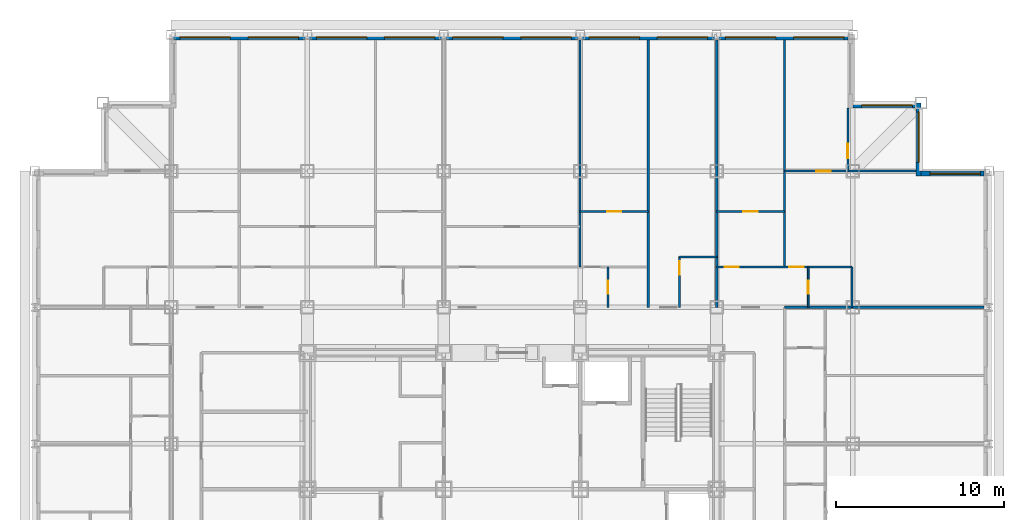
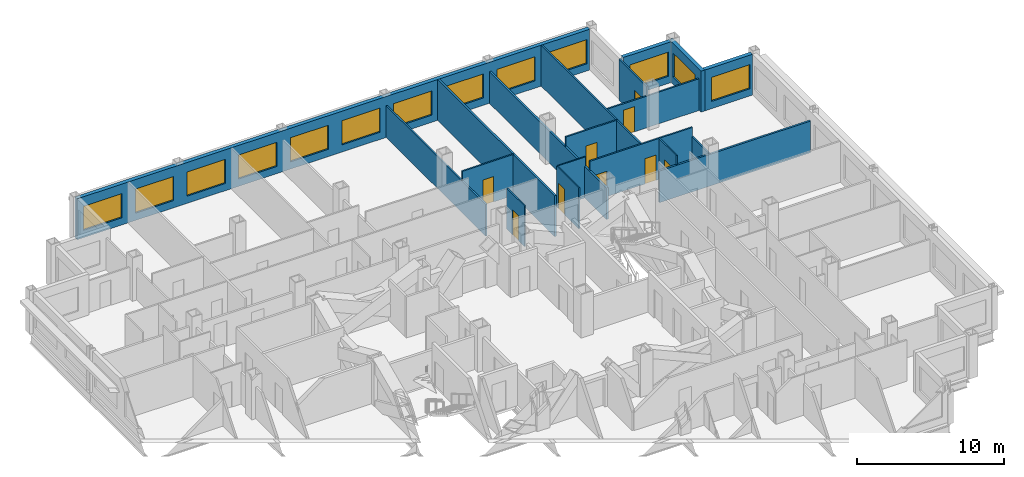
# One storey, part 10 of 12: 19 walls, 13 windows, 9 doors, 22 openings.
"""IFC4 building model written with IfcOpenShell, lengths in metres."""

from ifc_helpers import new_model, si_unit, direction, frame, frame_2d, origin, place, context, subcontext, project, spatial, rectangle, extrude, material, layer, layer_set, type_object, element, fill, save


model = new_model("IFC4")

# Units and contexts
model_context = context("Model", 3, precision=1e-05, world=origin(), true_north=direction((0.0, 1.0)))
body_context = subcontext(model_context, "Body", "Model", "MODEL_VIEW")
ifc_project = project(units=[si_unit("LENGTHUNIT", "METRE"), si_unit("AREAUNIT", "SQUARE_METRE"), si_unit("VOLUMEUNIT", "CUBIC_METRE"), si_unit("PLANEANGLEUNIT", "RADIAN"), si_unit("MASSUNIT", "GRAM", prefix="KILO")], contexts=[model_context])

# Site, building, storey
site_placement = place(None, origin())
site = spatial("IfcSite", under=ifc_project, at=site_placement, CompositionType="ELEMENT")
building_placement = place(site_placement, origin())
building = spatial("IfcBuilding", under=site, at=building_placement, Name="Kopane Lantern Tower", CompositionType="ELEMENT")
storey_placement = place(building_placement, frame((0.0, 0.0, 228.0)))
storey = spatial("IfcBuildingStorey", under=building, at=storey_placement, Name="L59", CompositionType="ELEMENT", Elevation=228.0)

# Wall
ifc_material_1 = material(Name="Gypsum board on steel studs", Category="steel")
ifc_layer_1 = layer(ifc_material_1, 0.1201171875)
ifc_layer_set_1 = layer_set([ifc_layer_1], Name="APARTMENT INTERNAL WALL 120")
wall_type_1 = type_object("IfcWallType", Name="APARTMENT INTERNAL WALL 120", PredefinedType="PARTITIONING", material=ifc_layer_set_1)
wall_1_placement = place(storey_placement, frame((32.39990234375, 45.60009765625, 0.0), z_axis=(0.0, 0.0, 1.0), x_axis=(0.0, 1.0, 0.0)))
element("IfcWall", 1, at=wall_1_placement, inside=storey, type_object=wall_type_1, Name="Apartment Internal Wall 120 L59", PredefinedType="PARTITIONING", context=body_context, shape_type="SweptSolid", body=[
    extrude(rectangle(XDim=13.5, YDim=0.1201171875, at=frame_2d((6.75, 0.0))), origin(), (0.0, 0.0, 1.0), 2.627685546875),
])

# Wall, openings, doors
wall_2_placement = place(storey_placement, frame((40.5, 45.60009765625, 0.0), z_axis=(0.0, 0.0, 1.0), x_axis=(1.0, 0.0, 0.0)))
wall_2 = element("IfcWall", 2, at=wall_2_placement, inside=storey, type_object=wall_type_1, Name="Apartment Internal Wall 120 L59", PredefinedType="PARTITIONING", context=body_context, shape_type="SweptSolid", body=[
    extrude(rectangle(XDim=8.050048828125, YDim=0.1201171875, at=frame_2d((4.02490234375, 0.0))), origin(), (0.0, 0.0, 1.0), 3.389892578125),
])
opening_1_placement = place(wall_2_placement, frame((0.47509765625, 0.0, 0.0)))
opening_1 = element("IfcOpeningElement", 3, at=opening_1_placement, cuts=wall_2, Name="Opening L59-059", PredefinedType="OPENING", context=body_context, shape_type="SweptSolid", body=[
    extrude(rectangle(XDim=0.85009765625, YDim=2.10009765625, at=frame_2d((0.425048828125, 1.050048828125))), frame((0.0, 0.070068359375, 0.0), z_axis=(0.0, -1.0, 0.0), x_axis=(1.0, 0.0, 0.0)), (0.0, 0.0, 1.0), 0.14013671875),
])
opening_2_placement = place(wall_2_placement, frame((4.324951171875, 0.0, 0.0)))
opening_2 = element("IfcOpeningElement", 4, at=opening_2_placement, cuts=wall_2, Name="Opening L59-061", PredefinedType="OPENING", context=body_context, shape_type="SweptSolid", body=[
    extrude(rectangle(XDim=0.85009765625, YDim=2.10009765625, at=frame_2d((0.425048828125, 1.050048828125))), frame((0.0, 0.070068359375, 0.0), z_axis=(0.0, -1.0, 0.0), x_axis=(1.0, 0.0, 0.0)), (0.0, 0.0, 1.0), 0.14013671875),
])
ifc_material_2 = material(Name="Timber door set", Category="wood")
door_type_1 = type_object("IfcDoorType", Name="DOOR D4 850x2100", OperationType="SINGLE_SWING_LEFT", PredefinedType="DOOR", material=ifc_material_2)
door_1_placement = place(opening_1_placement, origin())
door_1 = element("IfcDoor", 5, at=door_1_placement, inside=storey, type_object=door_type_1, Name="Door L59-059", OperationType="SINGLE_SWING_RIGHT", OverallHeight=2.10009765625, OverallWidth=0.85009765625, PredefinedType="DOOR", context=body_context, shape_type="SweptSolid", body=[
    extrude(rectangle(XDim=0.85009765625, YDim=2.10009765625, at=frame_2d((0.425048828125, 1.050048828125))), frame((0.0, 0.02490234375, 0.0), z_axis=(0.0, -1.0, 0.0), x_axis=(1.0, 0.0, 0.0)), (0.0, 0.0, 1.0), 0.050048828125),
])
fill(opening_1, door_1)
door_2_placement = place(opening_2_placement, origin())
door_2 = element("IfcDoor", 6, at=door_2_placement, inside=storey, type_object=door_type_1, Name="Door L59-061", OperationType="SINGLE_SWING_LEFT", OverallHeight=2.10009765625, OverallWidth=0.85009765625, PredefinedType="DOOR", context=body_context, shape_type="SweptSolid", body=[
    extrude(rectangle(XDim=0.85009765625, YDim=2.10009765625, at=frame_2d((0.425048828125, 1.050048828125))), frame((0.0, 0.02490234375, 0.0), z_axis=(0.0, -1.0, 0.0), x_axis=(1.0, 0.0, 0.0)), (0.0, 0.0, 1.0), 0.050048828125),
])
fill(opening_2, door_2)

# Wall
wall_3_placement = place(storey_placement, frame((44.550048828125, 45.60009765625, 0.0), z_axis=(0.0, 0.0, 1.0), x_axis=(0.0, 1.0, 0.0)))
element("IfcWall", 7, at=wall_3_placement, inside=storey, type_object=wall_type_1, Name="Apartment Internal Wall 120 L59", PredefinedType="PARTITIONING", context=body_context, shape_type="SweptSolid", body=[
    extrude(rectangle(XDim=13.5, YDim=0.1201171875, at=frame_2d((6.75, 0.0))), origin(), (0.0, 0.0, 1.0), 3.389892578125),
])

# Wall, opening, door
wall_4_placement = place(storey_placement, frame((44.550048828125, 51.300048828125, 0.0), z_axis=(0.0, 0.0, 1.0), x_axis=(1.0, 0.0, 0.0)))
wall_4 = element("IfcWall", 8, at=wall_4_placement, inside=storey, type_object=wall_type_1, Name="Apartment Internal Wall 120 L59", PredefinedType="PARTITIONING", context=body_context, shape_type="SweptSolid", body=[
    extrude(rectangle(XDim=7.800048828125, YDim=0.1201171875, at=frame_2d((3.89990234375, 0.0))), origin(), (0.0, 0.0, 1.0), 2.627685546875),
])
opening_3_placement = place(wall_4_placement, frame((1.875, 0.0, 0.0)))
opening_3 = element("IfcOpeningElement", 9, at=opening_3_placement, cuts=wall_4, Name="Opening L59-062", PredefinedType="OPENING", context=body_context, shape_type="SweptSolid", body=[
    extrude(rectangle(XDim=0.85009765625, YDim=2.10009765625, at=frame_2d((0.425048828125, 1.050048828125))), frame((0.0, 0.070068359375, 0.0), z_axis=(0.0, -1.0, 0.0), x_axis=(1.0, 0.0, 0.0)), (0.0, 0.0, 1.0), 0.14013671875),
])
door_3_placement = place(opening_3_placement, origin())
door_3 = element("IfcDoor", 10, at=door_3_placement, inside=storey, type_object=door_type_1, Name="Door L59-062", OperationType="SINGLE_SWING_RIGHT", OverallHeight=2.10009765625, OverallWidth=0.85009765625, PredefinedType="DOOR", context=body_context, shape_type="SweptSolid", body=[
    extrude(rectangle(XDim=0.85009765625, YDim=2.10009765625, at=frame_2d((0.425048828125, 1.050048828125))), frame((0.0, 0.02490234375, 0.0), z_axis=(0.0, -1.0, 0.0), x_axis=(1.0, 0.0, 0.0)), (0.0, 0.0, 1.0), 0.050048828125),
])
fill(opening_3, door_3)

wall_5_placement = place(storey_placement, frame((48.300048828125, 51.300048828125, 0.0), z_axis=(0.0, 0.0, 1.0), x_axis=(0.0, 1.0, 0.0)))
wall_5 = element("IfcWall", 11, at=wall_5_placement, inside=storey, type_object=wall_type_1, Name="Apartment Internal Wall 120 L59", PredefinedType="PARTITIONING", context=body_context, shape_type="SweptSolid", body=[
    extrude(rectangle(XDim=3.75, YDim=0.1201171875, at=frame_2d((1.875, 0.0))), origin(), (0.0, 0.0, 1.0), 3.389892578125),
])
opening_4_placement = place(wall_5_placement, frame((0.77490234375, 0.0, 0.0)))
opening_4 = element("IfcOpeningElement", 12, at=opening_4_placement, cuts=wall_5, Name="Opening L59-070", PredefinedType="OPENING", context=body_context, shape_type="SweptSolid", body=[
    extrude(rectangle(XDim=0.85009765625, YDim=2.10009765625, at=frame_2d((0.425048828125, 1.050048828125))), frame((0.0, 0.070068359375, 0.0), z_axis=(0.0, -1.0, 0.0), x_axis=(1.0, 0.0, 0.0)), (0.0, 0.0, 1.0), 0.14013671875),
])
door_4_placement = place(opening_4_placement, origin())
door_4 = element("IfcDoor", 13, at=door_4_placement, inside=storey, type_object=door_type_1, Name="Door L59-070", OperationType="SINGLE_SWING_RIGHT", OverallHeight=2.10009765625, OverallWidth=0.85009765625, PredefinedType="DOOR", context=body_context, shape_type="SweptSolid", body=[
    extrude(rectangle(XDim=0.85009765625, YDim=2.10009765625, at=frame_2d((0.425048828125, 1.050048828125))), frame((0.0, 0.02490234375, 0.0), z_axis=(0.0, -1.0, 0.0), x_axis=(1.0, 0.0, 0.0)), (0.0, 0.0, 1.0), 0.050048828125),
])
fill(opening_4, door_4)

wall_6_placement = place(storey_placement, frame((32.39990234375, 48.89990234375, 0.0), z_axis=(0.0, 0.0, 1.0), x_axis=(1.0, 0.0, 0.0)))
wall_6 = element("IfcWall", 14, at=wall_6_placement, inside=storey, type_object=wall_type_1, Name="Apartment Internal Wall 120 L59", PredefinedType="PARTITIONING", context=body_context, shape_type="SweptSolid", body=[
    extrude(rectangle(XDim=4.050048828125, YDim=0.1201171875, at=frame_2d((2.02490234375, 0.0))), origin(), (0.0, 0.0, 1.0), 3.389892578125),
])
opening_5_placement = place(wall_6_placement, frame((1.60009765625, 0.0, 0.0)))
opening_5 = element("IfcOpeningElement", 15, at=opening_5_placement, cuts=wall_6, Name="Opening L59-074", PredefinedType="OPENING", context=body_context, shape_type="SweptSolid", body=[
    extrude(rectangle(XDim=0.85009765625, YDim=2.10009765625, at=frame_2d((0.425048828125, 1.050048828125))), frame((0.0, 0.070068359375, 0.0), z_axis=(0.0, -1.0, 0.0), x_axis=(1.0, 0.0, 0.0)), (0.0, 0.0, 1.0), 0.14013671875),
])
door_5_placement = place(opening_5_placement, origin())
door_5 = element("IfcDoor", 16, at=door_5_placement, inside=storey, type_object=door_type_1, Name="Door L59-074", OperationType="SINGLE_SWING_RIGHT", OverallHeight=2.10009765625, OverallWidth=0.85009765625, PredefinedType="DOOR", context=body_context, shape_type="SweptSolid", body=[
    extrude(rectangle(XDim=0.85009765625, YDim=2.10009765625, at=frame_2d((0.425048828125, 1.050048828125))), frame((0.0, 0.02490234375, 0.0), z_axis=(0.0, -1.0, 0.0), x_axis=(1.0, 0.0, 0.0)), (0.0, 0.0, 1.0), 0.050048828125),
])
fill(opening_5, door_5)

wall_7_placement = place(storey_placement, frame((40.5, 48.89990234375, 0.0), z_axis=(0.0, 0.0, 1.0), x_axis=(1.0, 0.0, 0.0)))
wall_7 = element("IfcWall", 17, at=wall_7_placement, inside=storey, type_object=wall_type_1, Name="Apartment Internal Wall 120 L59", PredefinedType="PARTITIONING", context=body_context, shape_type="SweptSolid", body=[
    extrude(rectangle(XDim=4.050048828125, YDim=0.1201171875, at=frame_2d((2.02490234375, 0.0))), origin(), (0.0, 0.0, 1.0), 3.389892578125),
])
opening_6_placement = place(wall_7_placement, frame((1.60009765625, 0.0, 0.0)))
opening_6 = element("IfcOpeningElement", 18, at=opening_6_placement, cuts=wall_7, Name="Opening L59-075", PredefinedType="OPENING", context=body_context, shape_type="SweptSolid", body=[
    extrude(rectangle(XDim=0.85009765625, YDim=2.10009765625, at=frame_2d((0.425048828125, 1.050048828125))), frame((0.0, 0.070068359375, 0.0), z_axis=(0.0, -1.0, 0.0), x_axis=(1.0, 0.0, 0.0)), (0.0, 0.0, 1.0), 0.14013671875),
])
door_6_placement = place(opening_6_placement, origin())
door_6 = element("IfcDoor", 19, at=door_6_placement, inside=storey, type_object=door_type_1, Name="Door L59-075", OperationType="SINGLE_SWING_RIGHT", OverallHeight=2.10009765625, OverallWidth=0.85009765625, PredefinedType="DOOR", context=body_context, shape_type="SweptSolid", body=[
    extrude(rectangle(XDim=0.85009765625, YDim=2.10009765625, at=frame_2d((0.425048828125, 1.050048828125))), frame((0.0, 0.02490234375, 0.0), z_axis=(0.0, -1.0, 0.0), x_axis=(1.0, 0.0, 0.0)), (0.0, 0.0, 1.0), 0.050048828125),
])
fill(opening_6, door_6)

ifc_material_3 = material(Name="Moisture-resistant board on steel studs", Category="steel")
ifc_layer_2 = layer(ifc_material_3, 0.10009765625)
ifc_layer_set_2 = layer_set([ifc_layer_2], Name="BATHROOM WALL 100")
wall_type_2 = type_object("IfcWallType", Name="BATHROOM WALL 100", PredefinedType="PARTITIONING", material=ifc_layer_set_2)
wall_8_placement = place(storey_placement, frame((34.050048828125, 43.199951171875, 0.0), z_axis=(0.0, 0.0, 1.0), x_axis=(0.0, 1.0, 0.0)))
wall_8 = element("IfcWall", 20, at=wall_8_placement, inside=storey, type_object=wall_type_2, Name="Bathroom Wall 100 L59", PredefinedType="PARTITIONING", context=body_context, shape_type="SweptSolid", body=[
    extrude(rectangle(XDim=2.400146484375, YDim=0.10009765625, at=frame_2d((1.2001953125, 0.0))), origin(), (0.0, 0.0, 1.0), 3.389892578125),
])
opening_7_placement = place(wall_8_placement, frame((0.800048828125, 0.0, 0.0)))
opening_7 = element("IfcOpeningElement", 21, at=opening_7_placement, cuts=wall_8, Name="Opening L59-026", PredefinedType="OPENING", context=body_context, shape_type="SweptSolid", body=[
    extrude(rectangle(XDim=0.800048828125, YDim=2.10009765625, at=frame_2d((0.39990234375, 1.050048828125))), frame((0.0, 0.06005859375, 0.0), z_axis=(0.0, -1.0, 0.0), x_axis=(1.0, 0.0, 0.0)), (0.0, 0.0, 1.0), 0.1201171875),
])
ifc_material_4 = material(Name="Timber door set", Category="wood")
door_type_2 = type_object("IfcDoorType", Name="DOOR D2 800x2100", OperationType="SINGLE_SWING_LEFT", PredefinedType="DOOR", material=ifc_material_4)
door_7_placement = place(opening_7_placement, origin())
door_7 = element("IfcDoor", 22, at=door_7_placement, inside=storey, type_object=door_type_2, Name="Door L59-026", OperationType="SINGLE_SWING_RIGHT", OverallHeight=2.10009765625, OverallWidth=0.800048828125, PredefinedType="DOOR", context=body_context, shape_type="SweptSolid", body=[
    extrude(rectangle(XDim=0.800048828125, YDim=2.10009765625, at=frame_2d((0.39990234375, 1.050048828125))), frame((0.0, 0.02490234375, 0.0), z_axis=(0.0, -1.0, 0.0), x_axis=(1.0, 0.0, 0.0)), (0.0, 0.0, 1.0), 0.050048828125),
])
fill(opening_7, door_7)

# Wall
wall_9_placement = place(storey_placement, frame((38.300048828125, 46.199951171875, 0.0), z_axis=(0.0, 0.0, 1.0), x_axis=(1.0, 0.0, 0.0)))
element("IfcWall", 23, at=wall_9_placement, inside=storey, type_object=wall_type_2, Name="Bathroom Wall 100 L59", PredefinedType="PARTITIONING", context=body_context, shape_type="SweptSolid", body=[
    extrude(rectangle(XDim=2.199951171875, YDim=0.10009765625, at=frame_2d((1.10009765625, 0.0))), origin(), (0.0, 0.0, 1.0), 3.389892578125),
])

# Wall, opening, door
wall_10_placement = place(storey_placement, frame((38.300048828125, 43.199951171875, 0.0), z_axis=(0.0, 0.0, 1.0), x_axis=(0.0, 1.0, 0.0)))
wall_10 = element("IfcWall", 24, at=wall_10_placement, inside=storey, type_object=wall_type_2, Name="Bathroom Wall 100 L59", PredefinedType="PARTITIONING", context=body_context, shape_type="SweptSolid", body=[
    extrude(rectangle(XDim=3.0, YDim=0.10009765625, at=frame_2d((1.5, 0.0))), origin(), (0.0, 0.0, 1.0), 3.389892578125),
])
opening_8_placement = place(wall_10_placement, frame((1.949951171875, 0.0, 0.0)))
opening_8 = element("IfcOpeningElement", 25, at=opening_8_placement, cuts=wall_10, Name="Opening L59-030", PredefinedType="OPENING", context=body_context, shape_type="SweptSolid", body=[
    extrude(rectangle(XDim=0.800048828125, YDim=2.10009765625, at=frame_2d((0.39990234375, 1.050048828125))), frame((0.0, 0.06005859375, 0.0), z_axis=(0.0, -1.0, 0.0), x_axis=(1.0, 0.0, 0.0)), (0.0, 0.0, 1.0), 0.1201171875),
])
door_8_placement = place(opening_8_placement, origin())
door_8 = element("IfcDoor", 26, at=door_8_placement, inside=storey, type_object=door_type_2, Name="Door L59-030", OperationType="SINGLE_SWING_LEFT", OverallHeight=2.10009765625, OverallWidth=0.800048828125, PredefinedType="DOOR", context=body_context, shape_type="SweptSolid", body=[
    extrude(rectangle(XDim=0.800048828125, YDim=2.10009765625, at=frame_2d((0.39990234375, 1.050048828125))), frame((0.0, 0.02490234375, 0.0), z_axis=(0.0, -1.0, 0.0), x_axis=(1.0, 0.0, 0.0)), (0.0, 0.0, 1.0), 0.050048828125),
])
fill(opening_8, door_8)

wall_11_placement = place(storey_placement, frame((45.949951171875, 43.199951171875, 0.0), z_axis=(0.0, 0.0, 1.0), x_axis=(0.0, 1.0, 0.0)))
wall_11 = element("IfcWall", 27, at=wall_11_placement, inside=storey, type_object=wall_type_2, Name="Bathroom Wall 100 L59", PredefinedType="PARTITIONING", context=body_context, shape_type="SweptSolid", body=[
    extrude(rectangle(XDim=2.400146484375, YDim=0.10009765625, at=frame_2d((1.2001953125, 0.0))), origin(), (0.0, 0.0, 1.0), 3.389892578125),
])
opening_9_placement = place(wall_11_placement, frame((0.800048828125, 0.0, 0.0)))
opening_9 = element("IfcOpeningElement", 28, at=opening_9_placement, cuts=wall_11, Name="Opening L59-060", PredefinedType="OPENING", context=body_context, shape_type="SweptSolid", body=[
    extrude(rectangle(XDim=0.800048828125, YDim=2.10009765625, at=frame_2d((0.39990234375, 1.050048828125))), frame((0.0, 0.06005859375, 0.0), z_axis=(0.0, -1.0, 0.0), x_axis=(1.0, 0.0, 0.0)), (0.0, 0.0, 1.0), 0.1201171875),
])
door_9_placement = place(opening_9_placement, origin())
door_9 = element("IfcDoor", 29, at=door_9_placement, inside=storey, type_object=door_type_2, Name="Door L59-060", OperationType="SINGLE_SWING_RIGHT", OverallHeight=2.10009765625, OverallWidth=0.800048828125, PredefinedType="DOOR", context=body_context, shape_type="SweptSolid", body=[
    extrude(rectangle(XDim=0.800048828125, YDim=2.10009765625, at=frame_2d((0.39990234375, 1.050048828125))), frame((0.0, 0.02490234375, 0.0), z_axis=(0.0, -1.0, 0.0), x_axis=(1.0, 0.0, 0.0)), (0.0, 0.0, 1.0), 0.050048828125),
])
fill(opening_9, door_9)

# Walls
wall_12_placement = place(storey_placement, frame((48.550048828125, 43.199951171875, 0.0), z_axis=(0.0, 0.0, 1.0), x_axis=(0.0, 1.0, 0.0)))
element("IfcWall", 30, at=wall_12_placement, inside=storey, type_object=wall_type_2, Name="Bathroom Wall 100 L59", PredefinedType="PARTITIONING", context=body_context, shape_type="SweptSolid", body=[
    extrude(rectangle(XDim=2.400146484375, YDim=0.10009765625, at=frame_2d((1.2001953125, 0.0))), origin(), (0.0, 0.0, 1.0), 2.627685546875),
])
ifc_material_5 = material(Name="Gypsum board on steel studs", Category="steel")
ifc_layer_3 = layer(ifc_material_5, 0.14990234375)
ifc_layer_set_3 = layer_set([ifc_layer_3], Name="DEMISING WALL 150 EI 60")
wall_type_3 = type_object("IfcWallType", Name="DEMISING WALL 150 EI 60", PredefinedType="PARTITIONING", material=ifc_layer_set_3)
wall_13_placement = place(storey_placement, frame((36.449951171875, 43.199951171875, 0.0), z_axis=(0.0, 0.0, 1.0), x_axis=(0.0, 1.0, 0.0)))
element("IfcWall", 31, at=wall_13_placement, inside=storey, type_object=wall_type_3, Name="Demising Wall 150 Ei 60 L59", PredefinedType="PARTITIONING", context=body_context, shape_type="SweptSolid", body=[
    extrude(rectangle(XDim=15.900146484375, YDim=0.14990234375, at=frame_2d((7.9501953125, 0.0))), origin(), (0.0, 0.0, 1.0), 3.389892578125),
])
wall_14_placement = place(storey_placement, frame((44.550048828125, 43.199951171875, 0.0), z_axis=(0.0, 0.0, 1.0), x_axis=(1.0, 0.0, 0.0)))
element("IfcWall", 32, at=wall_14_placement, inside=storey, type_object=wall_type_3, Name="Demising Wall 150 Ei 60 L59", PredefinedType="PARTITIONING", context=body_context, shape_type="SweptSolid", body=[
    extrude(rectangle(XDim=11.849853515625, YDim=0.14990234375, at=frame_2d((5.9248046875, 0.0))), origin(), (0.0, 0.0, 1.0), 2.627685546875),
])
wall_15_placement = place(storey_placement, frame((40.5, 43.199951171875, 0.0), z_axis=(0.0, 0.0, 1.0), x_axis=(0.0, 1.0, 0.0)))
element("IfcWall", 33, at=wall_15_placement, inside=storey, type_object=wall_type_3, Name="Demising Wall 150 Ei 60 L59", PredefinedType="PARTITIONING", context=body_context, shape_type="SweptSolid", body=[
    extrude(rectangle(XDim=15.900146484375, YDim=0.14990234375, at=frame_2d((7.9501953125, 0.0))), origin(), (0.0, 0.0, 1.0), 2.627685546875),
])

# Wall, opening, window
ifc_material_6 = material(Name="Terracotta rainscreen on light steel framing", Category="masonry")
ifc_layer_4 = layer(ifc_material_6, 0.300048828125)
ifc_layer_set_4 = layer_set([ifc_layer_4], Name="EXTERNAL WALL EW1 300 TERRACOTTA")
wall_type_4 = type_object("IfcWallType", Name="EXTERNAL WALL EW1 300 TERRACOTTA", PredefinedType="SOLIDWALL", material=ifc_layer_set_4)
wall_16_placement = place(storey_placement, frame((56.39990234375, 51.14990234375, 0.0), z_axis=(0.0, 0.0, 1.0), x_axis=(-1.0, 0.0, 0.0)))
wall_16 = element("IfcWall", 34, at=wall_16_placement, inside=storey, type_object=wall_type_4, Name="External wall N L59", PredefinedType="SOLIDWALL", context=body_context, shape_type="SweptSolid", body=[
    extrude(rectangle(XDim=3.75, YDim=0.300048828125, at=frame_2d((1.875, 0.0))), origin(), (0.0, 0.0, 1.0), 3.389892578125),
])
opening_10_placement = place(wall_16_placement, frame((0.22509765625, 0.0, 0.60009765625)))
opening_10 = element("IfcOpeningElement", 35, at=opening_10_placement, cuts=wall_16, Name="Opening WR300200", PredefinedType="OPENING", context=body_context, shape_type="SweptSolid", body=[
    extrude(rectangle(XDim=3.0, YDim=2.0, at=frame_2d((1.5, 1.0))), frame((0.0, 0.159912109375, 0.0), z_axis=(0.0, -1.0, 0.0), x_axis=(1.0, 0.0, 0.0)), (0.0, 0.0, 1.0), 0.320068359375),
])
ifc_material_7 = material(Name="Aluminium and clear glass", Category="aluminium")
window_type = type_object("IfcWindowType", Name="RIBBON WINDOW WR300200 3000x2000", PartitioningType="SINGLE_PANEL", PredefinedType="WINDOW", material=ifc_material_7)
window_1_placement = place(opening_10_placement, origin())
window_1 = element("IfcWindow", 36, at=window_1_placement, inside=storey, type_object=window_type, Name="Window N L59", OverallHeight=2.0, OverallWidth=3.0, PartitioningType="SINGLE_PANEL", PredefinedType="WINDOW", context=body_context, shape_type="SweptSolid", body=[
    extrude(rectangle(XDim=3.0, YDim=2.0, at=frame_2d((1.5, 1.0))), frame((0.0, 0.030029296875, 0.0), z_axis=(0.0, -1.0, 0.0), x_axis=(1.0, 0.0, 0.0)), (0.0, 0.0, 1.0), 0.06005859375),
])
fill(opening_10, window_1)

wall_17_placement = place(storey_placement, frame((52.5, 51.0, 0.0), z_axis=(0.0, 0.0, 1.0), x_axis=(0.0, 1.0, 0.0)))
wall_17 = element("IfcWall", 37, at=wall_17_placement, inside=storey, type_object=wall_type_4, Name="External wall E L59", PredefinedType="SOLIDWALL", context=body_context, shape_type="SweptSolid", body=[
    extrude(rectangle(XDim=4.35009765625, YDim=0.300048828125, at=frame_2d((2.175048828125, 0.0))), origin(), (0.0, 0.0, 1.0), 3.389892578125),
])
opening_11_placement = place(wall_17_placement, frame((0.824951171875, 0.0, 0.60009765625)))
opening_11 = element("IfcOpeningElement", 38, at=opening_11_placement, cuts=wall_17, Name="Opening WR300200", PredefinedType="OPENING", context=body_context, shape_type="SweptSolid", body=[
    extrude(rectangle(XDim=3.0, YDim=2.0, at=frame_2d((1.5, 1.0))), frame((0.0, 0.159912109375, 0.0), z_axis=(0.0, -1.0, 0.0), x_axis=(1.0, 0.0, 0.0)), (0.0, 0.0, 1.0), 0.320068359375),
])
window_2_placement = place(opening_11_placement, origin())
window_2 = element("IfcWindow", 39, at=window_2_placement, inside=storey, type_object=window_type, Name="Window E L59", OverallHeight=2.0, OverallWidth=3.0, PartitioningType="SINGLE_PANEL", PredefinedType="WINDOW", context=body_context, shape_type="SweptSolid", body=[
    extrude(rectangle(XDim=3.0, YDim=2.0, at=frame_2d((1.5, 1.0))), frame((0.0, 0.030029296875, 0.0), z_axis=(0.0, -1.0, 0.0), x_axis=(1.0, 0.0, 0.0)), (0.0, 0.0, 1.0), 0.06005859375),
])
fill(opening_11, window_2)

wall_18_placement = place(storey_placement, frame((52.35009765625, 55.199951171875, 0.0), z_axis=(0.0, 0.0, 1.0), x_axis=(-1.0, 0.0, 0.0)))
wall_18 = element("IfcWall", 40, at=wall_18_placement, inside=storey, type_object=wall_type_4, Name="External wall N L59", PredefinedType="SOLIDWALL", context=body_context, shape_type="SweptSolid", body=[
    extrude(rectangle(XDim=3.75, YDim=0.300048828125, at=frame_2d((1.875, 0.0))), origin(), (0.0, 0.0, 1.0), 3.389892578125),
])
opening_12_placement = place(wall_18_placement, frame((0.22509765625, 0.0, 0.60009765625)))
opening_12 = element("IfcOpeningElement", 41, at=opening_12_placement, cuts=wall_18, Name="Opening WR300200", PredefinedType="OPENING", context=body_context, shape_type="SweptSolid", body=[
    extrude(rectangle(XDim=3.0, YDim=2.0, at=frame_2d((1.5, 1.0))), frame((0.0, 0.159912109375, 0.0), z_axis=(0.0, -1.0, 0.0), x_axis=(1.0, 0.0, 0.0)), (0.0, 0.0, 1.0), 0.320068359375),
])
window_3_placement = place(opening_12_placement, origin())
window_3 = element("IfcWindow", 42, at=window_3_placement, inside=storey, type_object=window_type, Name="Window N L59", OverallHeight=2.0, OverallWidth=3.0, PartitioningType="SINGLE_PANEL", PredefinedType="WINDOW", context=body_context, shape_type="SweptSolid", body=[
    extrude(rectangle(XDim=3.0, YDim=2.0, at=frame_2d((1.5, 1.0))), frame((0.0, 0.030029296875, 0.0), z_axis=(0.0, -1.0, 0.0), x_axis=(1.0, 0.0, 0.0)), (0.0, 0.0, 1.0), 0.06005859375),
])
fill(opening_12, window_3)

# Wall, openings, windows
wall_19_placement = place(storey_placement, frame((48.300048828125, 59.25, 0.0), z_axis=(0.0, 0.0, 1.0), x_axis=(-1.0, 0.0, 0.0)))
wall_19 = element("IfcWall", 43, at=wall_19_placement, inside=storey, type_object=wall_type_4, Name="External wall N L59", PredefinedType="SOLIDWALL", context=body_context, shape_type="SweptSolid", body=[
    extrude(rectangle(XDim=40.199951171875, YDim=0.300048828125, at=frame_2d((20.10009765625, 0.0))), origin(), (0.0, 0.0, 1.0), 3.389892578125),
])
opening_13_placement = place(wall_19_placement, frame((0.22509765625, 0.0, 0.60009765625)))
opening_13 = element("IfcOpeningElement", 44, at=opening_13_placement, cuts=wall_19, Name="Opening WR300200", PredefinedType="OPENING", context=body_context, shape_type="SweptSolid", body=[
    extrude(rectangle(XDim=3.0, YDim=2.0, at=frame_2d((1.5, 1.0))), frame((0.0, 0.159912109375, 0.0), z_axis=(0.0, -1.0, 0.0), x_axis=(1.0, 0.0, 0.0)), (0.0, 0.0, 1.0), 0.320068359375),
])
opening_14_placement = place(wall_19_placement, frame((4.27490234375, 0.0, 0.60009765625)))
opening_14 = element("IfcOpeningElement", 45, at=opening_14_placement, cuts=wall_19, Name="Opening WR300200", PredefinedType="OPENING", context=body_context, shape_type="SweptSolid", body=[
    extrude(rectangle(XDim=3.0, YDim=2.0, at=frame_2d((1.5, 1.0))), frame((0.0, 0.159912109375, 0.0), z_axis=(0.0, -1.0, 0.0), x_axis=(1.0, 0.0, 0.0)), (0.0, 0.0, 1.0), 0.320068359375),
])
opening_15_placement = place(wall_19_placement, frame((8.324951171875, 0.0, 0.60009765625)))
opening_15 = element("IfcOpeningElement", 46, at=opening_15_placement, cuts=wall_19, Name="Opening WR300200", PredefinedType="OPENING", context=body_context, shape_type="SweptSolid", body=[
    extrude(rectangle(XDim=3.0, YDim=2.0, at=frame_2d((1.5, 1.0))), frame((0.0, 0.159912109375, 0.0), z_axis=(0.0, -1.0, 0.0), x_axis=(1.0, 0.0, 0.0)), (0.0, 0.0, 1.0), 0.320068359375),
])
opening_16_placement = place(wall_19_placement, frame((12.375, 0.0, 0.60009765625)))
opening_16 = element("IfcOpeningElement", 47, at=opening_16_placement, cuts=wall_19, Name="Opening WR300200", PredefinedType="OPENING", context=body_context, shape_type="SweptSolid", body=[
    extrude(rectangle(XDim=3.0, YDim=2.0, at=frame_2d((1.5, 1.0))), frame((0.0, 0.159912109375, 0.0), z_axis=(0.0, -1.0, 0.0), x_axis=(1.0, 0.0, 0.0)), (0.0, 0.0, 1.0), 0.320068359375),
])
opening_17_placement = place(wall_19_placement, frame((16.425048828125, 0.0, 0.60009765625)))
opening_17 = element("IfcOpeningElement", 48, at=opening_17_placement, cuts=wall_19, Name="Opening WR300200", PredefinedType="OPENING", context=body_context, shape_type="SweptSolid", body=[
    extrude(rectangle(XDim=3.0, YDim=2.0, at=frame_2d((1.5, 1.0))), frame((0.0, 0.159912109375, 0.0), z_axis=(0.0, -1.0, 0.0), x_axis=(1.0, 0.0, 0.0)), (0.0, 0.0, 1.0), 0.320068359375),
])
opening_18_placement = place(wall_19_placement, frame((20.47509765625, 0.0, 0.60009765625)))
opening_18 = element("IfcOpeningElement", 49, at=opening_18_placement, cuts=wall_19, Name="Opening WR300200", PredefinedType="OPENING", context=body_context, shape_type="SweptSolid", body=[
    extrude(rectangle(XDim=3.0, YDim=2.0, at=frame_2d((1.5, 1.0))), frame((0.0, 0.159912109375, 0.0), z_axis=(0.0, -1.0, 0.0), x_axis=(1.0, 0.0, 0.0)), (0.0, 0.0, 1.0), 0.320068359375),
])
opening_19_placement = place(wall_19_placement, frame((24.52490234375, 0.0, 0.60009765625)))
opening_19 = element("IfcOpeningElement", 50, at=opening_19_placement, cuts=wall_19, Name="Opening WR300200", PredefinedType="OPENING", context=body_context, shape_type="SweptSolid", body=[
    extrude(rectangle(XDim=3.0, YDim=2.0, at=frame_2d((1.5, 1.0))), frame((0.0, 0.159912109375, 0.0), z_axis=(0.0, -1.0, 0.0), x_axis=(1.0, 0.0, 0.0)), (0.0, 0.0, 1.0), 0.320068359375),
])
opening_20_placement = place(wall_19_placement, frame((28.574951171875, 0.0, 0.60009765625)))
opening_20 = element("IfcOpeningElement", 51, at=opening_20_placement, cuts=wall_19, Name="Opening WR300200", PredefinedType="OPENING", context=body_context, shape_type="SweptSolid", body=[
    extrude(rectangle(XDim=3.0, YDim=2.0, at=frame_2d((1.5, 1.0))), frame((0.0, 0.159912109375, 0.0), z_axis=(0.0, -1.0, 0.0), x_axis=(1.0, 0.0, 0.0)), (0.0, 0.0, 1.0), 0.320068359375),
])
opening_21_placement = place(wall_19_placement, frame((32.625, 0.0, 0.60009765625)))
opening_21 = element("IfcOpeningElement", 52, at=opening_21_placement, cuts=wall_19, Name="Opening WR300200", PredefinedType="OPENING", context=body_context, shape_type="SweptSolid", body=[
    extrude(rectangle(XDim=3.0, YDim=2.0, at=frame_2d((1.5, 1.0))), frame((0.0, 0.159912109375, 0.0), z_axis=(0.0, -1.0, 0.0), x_axis=(1.0, 0.0, 0.0)), (0.0, 0.0, 1.0), 0.320068359375),
])
opening_22_placement = place(wall_19_placement, frame((36.675048828125, 0.0, 0.60009765625)))
opening_22 = element("IfcOpeningElement", 53, at=opening_22_placement, cuts=wall_19, Name="Opening WR300200", PredefinedType="OPENING", context=body_context, shape_type="SweptSolid", body=[
    extrude(rectangle(XDim=3.0, YDim=2.0, at=frame_2d((1.5, 1.0))), frame((0.0, 0.159912109375, 0.0), z_axis=(0.0, -1.0, 0.0), x_axis=(1.0, 0.0, 0.0)), (0.0, 0.0, 1.0), 0.320068359375),
])
window_4_placement = place(opening_13_placement, origin())
window_4 = element("IfcWindow", 54, at=window_4_placement, inside=storey, type_object=window_type, Name="Window N L59", OverallHeight=2.0, OverallWidth=3.0, PartitioningType="SINGLE_PANEL", PredefinedType="WINDOW", context=body_context, shape_type="SweptSolid", body=[
    extrude(rectangle(XDim=3.0, YDim=2.0, at=frame_2d((1.5, 1.0))), frame((0.0, 0.030029296875, 0.0), z_axis=(0.0, -1.0, 0.0), x_axis=(1.0, 0.0, 0.0)), (0.0, 0.0, 1.0), 0.06005859375),
])
fill(opening_13, window_4)
window_5_placement = place(opening_14_placement, origin())
window_5 = element("IfcWindow", 55, at=window_5_placement, inside=storey, type_object=window_type, Name="Window N L59", OverallHeight=2.0, OverallWidth=3.0, PartitioningType="SINGLE_PANEL", PredefinedType="WINDOW", context=body_context, shape_type="SweptSolid", body=[
    extrude(rectangle(XDim=3.0, YDim=2.0, at=frame_2d((1.5, 1.0))), frame((0.0, 0.030029296875, 0.0), z_axis=(0.0, -1.0, 0.0), x_axis=(1.0, 0.0, 0.0)), (0.0, 0.0, 1.0), 0.06005859375),
])
fill(opening_14, window_5)
window_6_placement = place(opening_15_placement, origin())
window_6 = element("IfcWindow", 56, at=window_6_placement, inside=storey, type_object=window_type, Name="Window N L59", OverallHeight=2.0, OverallWidth=3.0, PartitioningType="SINGLE_PANEL", PredefinedType="WINDOW", context=body_context, shape_type="SweptSolid", body=[
    extrude(rectangle(XDim=3.0, YDim=2.0, at=frame_2d((1.5, 1.0))), frame((0.0, 0.030029296875, 0.0), z_axis=(0.0, -1.0, 0.0), x_axis=(1.0, 0.0, 0.0)), (0.0, 0.0, 1.0), 0.06005859375),
])
fill(opening_15, window_6)
window_7_placement = place(opening_16_placement, origin())
window_7 = element("IfcWindow", 57, at=window_7_placement, inside=storey, type_object=window_type, Name="Window N L59", OverallHeight=2.0, OverallWidth=3.0, PartitioningType="SINGLE_PANEL", PredefinedType="WINDOW", context=body_context, shape_type="SweptSolid", body=[
    extrude(rectangle(XDim=3.0, YDim=2.0, at=frame_2d((1.5, 1.0))), frame((0.0, 0.030029296875, 0.0), z_axis=(0.0, -1.0, 0.0), x_axis=(1.0, 0.0, 0.0)), (0.0, 0.0, 1.0), 0.06005859375),
])
fill(opening_16, window_7)
window_8_placement = place(opening_17_placement, origin())
window_8 = element("IfcWindow", 58, at=window_8_placement, inside=storey, type_object=window_type, Name="Window N L59", OverallHeight=2.0, OverallWidth=3.0, PartitioningType="SINGLE_PANEL", PredefinedType="WINDOW", context=body_context, shape_type="SweptSolid", body=[
    extrude(rectangle(XDim=3.0, YDim=2.0, at=frame_2d((1.5, 1.0))), frame((0.0, 0.030029296875, 0.0), z_axis=(0.0, -1.0, 0.0), x_axis=(1.0, 0.0, 0.0)), (0.0, 0.0, 1.0), 0.06005859375),
])
fill(opening_17, window_8)
window_9_placement = place(opening_18_placement, origin())
window_9 = element("IfcWindow", 59, at=window_9_placement, inside=storey, type_object=window_type, Name="Window N L59", OverallHeight=2.0, OverallWidth=3.0, PartitioningType="SINGLE_PANEL", PredefinedType="WINDOW", context=body_context, shape_type="SweptSolid", body=[
    extrude(rectangle(XDim=3.0, YDim=2.0, at=frame_2d((1.5, 1.0))), frame((0.0, 0.030029296875, 0.0), z_axis=(0.0, -1.0, 0.0), x_axis=(1.0, 0.0, 0.0)), (0.0, 0.0, 1.0), 0.06005859375),
])
fill(opening_18, window_9)
window_10_placement = place(opening_19_placement, origin())
window_10 = element("IfcWindow", 60, at=window_10_placement, inside=storey, type_object=window_type, Name="Window N L59", OverallHeight=2.0, OverallWidth=3.0, PartitioningType="SINGLE_PANEL", PredefinedType="WINDOW", context=body_context, shape_type="SweptSolid", body=[
    extrude(rectangle(XDim=3.0, YDim=2.0, at=frame_2d((1.5, 1.0))), frame((0.0, 0.030029296875, 0.0), z_axis=(0.0, -1.0, 0.0), x_axis=(1.0, 0.0, 0.0)), (0.0, 0.0, 1.0), 0.06005859375),
])
fill(opening_19, window_10)
window_11_placement = place(opening_20_placement, origin())
window_11 = element("IfcWindow", 61, at=window_11_placement, inside=storey, type_object=window_type, Name="Window N L59", OverallHeight=2.0, OverallWidth=3.0, PartitioningType="SINGLE_PANEL", PredefinedType="WINDOW", context=body_context, shape_type="SweptSolid", body=[
    extrude(rectangle(XDim=3.0, YDim=2.0, at=frame_2d((1.5, 1.0))), frame((0.0, 0.030029296875, 0.0), z_axis=(0.0, -1.0, 0.0), x_axis=(1.0, 0.0, 0.0)), (0.0, 0.0, 1.0), 0.06005859375),
])
fill(opening_20, window_11)
window_12_placement = place(opening_21_placement, origin())
window_12 = element("IfcWindow", 62, at=window_12_placement, inside=storey, type_object=window_type, Name="Window N L59", OverallHeight=2.0, OverallWidth=3.0, PartitioningType="SINGLE_PANEL", PredefinedType="WINDOW", context=body_context, shape_type="SweptSolid", body=[
    extrude(rectangle(XDim=3.0, YDim=2.0, at=frame_2d((1.5, 1.0))), frame((0.0, 0.030029296875, 0.0), z_axis=(0.0, -1.0, 0.0), x_axis=(1.0, 0.0, 0.0)), (0.0, 0.0, 1.0), 0.06005859375),
])
fill(opening_21, window_12)
window_13_placement = place(opening_22_placement, origin())
window_13 = element("IfcWindow", 63, at=window_13_placement, inside=storey, type_object=window_type, Name="Window N L59", OverallHeight=2.0, OverallWidth=3.0, PartitioningType="SINGLE_PANEL", PredefinedType="WINDOW", context=body_context, shape_type="SweptSolid", body=[
    extrude(rectangle(XDim=3.0, YDim=2.0, at=frame_2d((1.5, 1.0))), frame((0.0, 0.030029296875, 0.0), z_axis=(0.0, -1.0, 0.0), x_axis=(1.0, 0.0, 0.0)), (0.0, 0.0, 1.0), 0.06005859375),
])
fill(opening_22, window_13)

save(model, "model.ifc")
